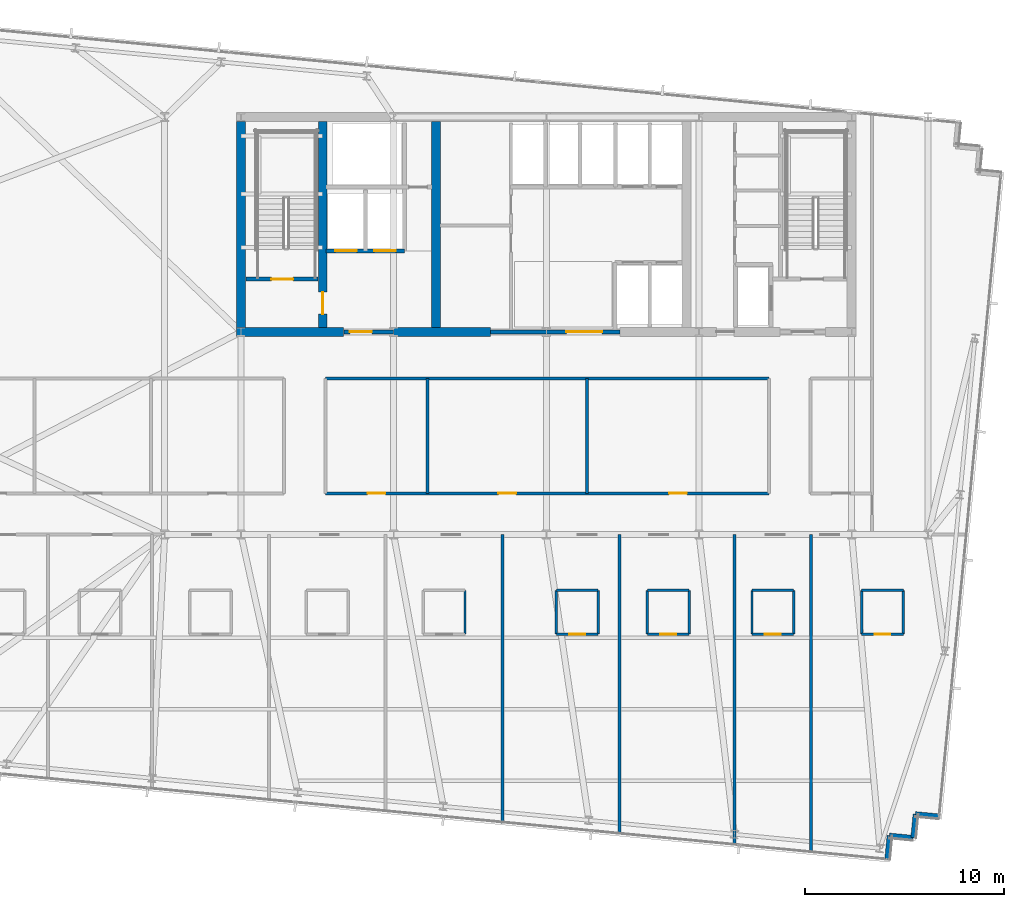
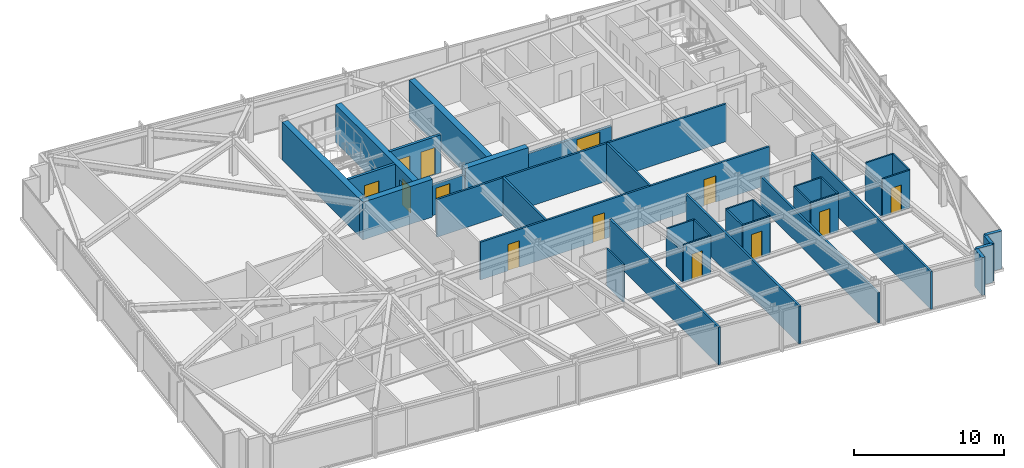
# One storey, part 30 of 38: 38 walls, 13 doors, 13 openings.
"""IFC4 building model written with IfcOpenShell, lengths in metres."""

from ifc_helpers import new_model, si_unit, direction, frame, frame_2d, origin, place, context, subcontext, project, spatial, rectangle, extrude, material, layer, layer_set, type_object, element, fill, save


model = new_model("IFC4")

# Units and contexts
model_context = context("Model", 3, precision=1e-05, world=origin(), true_north=direction((0.0, 1.0)))
body_context = subcontext(model_context, "Body", "Model", "MODEL_VIEW")
ifc_project = project(units=[si_unit("LENGTHUNIT", "METRE"), si_unit("AREAUNIT", "SQUARE_METRE"), si_unit("VOLUMEUNIT", "CUBIC_METRE"), si_unit("PLANEANGLEUNIT", "RADIAN"), si_unit("MASSUNIT", "GRAM", prefix="KILO")], contexts=[model_context])

# Site, building, storey
site_placement = place(None, origin())
site = spatial("IfcSite", under=ifc_project, at=site_placement, CompositionType="ELEMENT")
building_placement = place(site_placement, origin())
building = spatial("IfcBuilding", under=site, at=building_placement, Name="Yelkora Congress Tower", CompositionType="ELEMENT")
storey_placement = place(building_placement, frame((0.0, 0.0, 155.60009765625)))
storey = spatial("IfcBuildingStorey", under=building, at=storey_placement, Name="L42", CompositionType="ELEMENT", Elevation=155.60009765625)

# Walls
ifc_material_1 = material(Name="Concrete C60/75", Category="concrete")
ifc_layer_1 = layer(ifc_material_1, 0.449951171875)
ifc_layer_set_1 = layer_set([ifc_layer_1], Name="Concrete C60/75")
wall_type_1 = type_object("IfcWallType", Name="WALL-CORE-INT-450", PredefinedType="SHEAR", material=ifc_layer_set_1)
wall_1_placement = place(storey_placement, frame((22.81494140625, 35.39990234375, 0.0), z_axis=(0.0, 0.0, 1.0), x_axis=(1.0, 0.0, 0.0)))
element("IfcWall", 1, at=wall_1_placement, inside=storey, type_object=wall_type_1, Name="L42 Rear Core South-West Shear Wall", PredefinedType="SHEAR", context=body_context, shape_type="SweptSolid", body=[
    extrude(rectangle(XDim=5.385009765625, YDim=0.449951171875, at=frame_2d((2.6923828125, 0.0))), origin(), (0.0, 0.0, 1.0), 3.079833984375),
])
wall_2_placement = place(storey_placement, frame((30.719970703125, 35.39990234375, 0.0), z_axis=(0.0, 0.0, 1.0), x_axis=(1.0, 0.0, 0.0)))
element("IfcWall", 2, at=wall_2_placement, inside=storey, type_object=wall_type_1, Name="L42 Rear Core South-Center Shear Pier", PredefinedType="SHEAR", context=body_context, shape_type="SweptSolid", body=[
    extrude(rectangle(XDim=4.880126953125, YDim=0.449951171875, at=frame_2d((2.43994140625, 0.0))), origin(), (0.0, 0.0, 1.0), 3.079833984375),
])
wall_3_placement = place(storey_placement, frame((23.0400390625, 35.625, 0.0), z_axis=(0.0, 0.0, 1.0), x_axis=(0.0, 1.0, 0.0)))
element("IfcWall", 3, at=wall_3_placement, inside=storey, type_object=wall_type_1, Name="L42 Rear Core Cross Shear Wall W", PredefinedType="SHEAR", context=body_context, shape_type="SweptSolid", body=[
    extrude(rectangle(XDim=10.35009765625, YDim=0.449951171875, at=frame_2d((5.175048828125, 0.0))), origin(), (0.0, 0.0, 1.0), 3.079833984375),
])

# Wall, opening, door
wall_4_placement = place(storey_placement, frame((27.14990234375, 35.625, 0.0), z_axis=(0.0, 0.0, 1.0), x_axis=(0.0, 1.0, 0.0)))
wall_4 = element("IfcWall", 4, at=wall_4_placement, inside=storey, type_object=wall_type_1, Name="L42 Rear Core Cross Shear Wall C1", PredefinedType="SHEAR", context=body_context, shape_type="SweptSolid", body=[
    extrude(rectangle(XDim=10.35009765625, YDim=0.449951171875, at=frame_2d((5.175048828125, 0.0))), origin(), (0.0, 0.0, 1.0), 3.079833984375),
])
opening_1_placement = place(wall_4_placement, frame((0.675048828125, 0.0, 0.0)))
opening_1 = element("IfcOpeningElement", 5, at=opening_1_placement, cuts=wall_4, Name="Opening DR-110F9", PredefinedType="OPENING", context=body_context, shape_type="SweptSolid", body=[
    extrude(rectangle(XDim=1.10009765625, YDim=2.14990234375, at=frame_2d((0.550048828125, 1.074951171875))), frame((0.0, 0.23486328125, 0.0), z_axis=(0.0, -1.0, 0.0), x_axis=(1.0, 0.0, 0.0)), (0.0, 0.0, 1.0), 0.469970703125),
])
ifc_material_2 = material(Name="Galvanised steel fire door leaf", Category="steel")
door_type_1 = type_object("IfcDoorType", Name="DOOR-FD90-1100", OperationType="NOTDEFINED", PredefinedType="DOOR", material=ifc_material_2)
door_1_placement = place(opening_1_placement, origin())
door_1 = element("IfcDoor", 6, at=door_1_placement, inside=storey, type_object=door_type_1, Name="L42 Firefighting Stair Transfer Door", OperationType="SINGLE_SWING_LEFT", OverallHeight=2.14990234375, OverallWidth=1.10009765625, PredefinedType="DOOR", context=body_context, shape_type="SweptSolid", body=[
    extrude(rectangle(XDim=1.10009765625, YDim=2.14990234375, at=frame_2d((0.550048828125, 1.074951171875))), frame((0.0, 0.02490234375, 0.0), z_axis=(0.0, -1.0, 0.0), x_axis=(1.0, 0.0, 0.0)), (0.0, 0.0, 1.0), 0.050048828125),
])
fill(opening_1, door_1)

# Walls
wall_5_placement = place(storey_placement, frame((32.85009765625, 35.625, 0.0), z_axis=(0.0, 0.0, 1.0), x_axis=(0.0, 1.0, 0.0)))
element("IfcWall", 7, at=wall_5_placement, inside=storey, type_object=wall_type_1, Name="L42 Rear Core Cross Shear Wall C2", PredefinedType="SHEAR", context=body_context, shape_type="SweptSolid", body=[
    extrude(rectangle(XDim=10.35009765625, YDim=0.449951171875, at=frame_2d((5.175048828125, 0.0))), origin(), (0.0, 0.0, 1.0), 3.079833984375),
])
ifc_material_3 = material(Name="Concrete C40/50", Category="concrete")
ifc_layer_2 = layer(ifc_material_3, 0.239990234375)
ifc_layer_set_2 = layer_set([ifc_layer_2], Name="Concrete C40/50")
wall_type_2 = type_object("IfcWallType", Name="WALL-EXT-LIMESTONE-240", PredefinedType="SOLIDWALL", material=ifc_layer_set_2)
wall_6_placement = place(storey_placement, frame((58.160400390625, 11.033203125, 0.0), z_axis=(0.0, 0.0, 1.0), x_axis=(-0.995398960025, 0.095817067274, 0.0)))
element("IfcWall", 8, at=wall_6_placement, inside=storey, type_object=wall_type_2, Name="L42 Serrated Corner Limestone Pier 16", PredefinedType="SOLIDWALL", context=body_context, shape_type="SweptSolid", body=[
    extrude(rectangle(XDim=1.2001953125, YDim=0.239990234375, at=frame_2d((0.60009765625, 0.0))), origin(), (0.0, 0.0, 1.0), 3.079833984375),
])
for number, where, z_axis, x_axis, name in (
    (9, (56.9658203125, 11.148193359375, 0.0), (0.0, 0.0, 1.0), (-0.095836473879, -0.995397091755, 0.0), "L42 Serrated Corner Limestone Pier 17"),
    (10, (56.850830078125, 9.953857421875, 0.0), (0.0, 0.0, 1.0), (-0.995397091755, 0.095836473879, 0.0), "L42 Serrated Corner Limestone Pier 18"),
):
    element("IfcWall", number, at=place(storey_placement, frame(where, z_axis=z_axis, x_axis=x_axis)), inside=storey, type_object=wall_type_2, Name=name, PredefinedType="SOLIDWALL", context=body_context, shape_type="SweptSolid", body=[
        extrude(rectangle(XDim=1.199951171875, YDim=0.239990234375, at=frame_2d((0.60009765625, 0.0))), origin(), (0.0, 0.0, 1.0), 3.079833984375),
    ])
wall_7_placement = place(storey_placement, frame((55.656494140625, 10.06884765625, 0.0), z_axis=(0.0, 0.0, 1.0), x_axis=(-0.095817067274, -0.995398960025, 0.0)))
element("IfcWall", 11, at=wall_7_placement, inside=storey, type_object=wall_type_2, Name="L42 Serrated Corner Limestone Pier 19", PredefinedType="SOLIDWALL", context=body_context, shape_type="SweptSolid", body=[
    extrude(rectangle(XDim=1.2001953125, YDim=0.239990234375, at=frame_2d((0.60009765625, 0.0))), origin(), (0.0, 0.0, 1.0), 3.079833984375),
])
ifc_material_4 = material(Name="Moisture-resistant gypsum partition", Category="gypsum")
ifc_layer_3 = layer(ifc_material_4, 0.1201171875)
ifc_layer_set_3 = layer_set([ifc_layer_3], Name="Moisture-resistant gypsum partition")
wall_type_3 = type_object("IfcWallType", Name="WALL-INT-120-NR", PredefinedType="PARTITIONING", material=ifc_layer_set_3)
wall_8_placement = place(storey_placement, frame((34.30810546875, 20.199951171875, 0.0), z_axis=(0.0, 0.0, 1.0), x_axis=(0.0, 1.0, 0.0)))
element("IfcWall", 12, at=wall_8_placement, inside=storey, type_object=wall_type_3, Name="L42 Partition Wall 49", PredefinedType="PARTITIONING", context=body_context, shape_type="SweptSolid", body=[
    extrude(rectangle(XDim=2.199951171875, YDim=0.1201171875, at=frame_2d((1.10009765625, 0.0))), origin(), (0.0, 0.0, 1.0), 3.079833984375),
])
wall_9_placement = place(storey_placement, frame((38.89990234375, 22.39990234375, 0.0), z_axis=(0.0, 0.0, 1.0), x_axis=(1.0, 0.0, 0.0)))
element("IfcWall", 13, at=wall_9_placement, inside=storey, type_object=wall_type_3, Name="L42 Partition Wall 52", PredefinedType="PARTITIONING", context=body_context, shape_type="SweptSolid", body=[
    extrude(rectangle(XDim=2.10009765625, YDim=0.1201171875, at=frame_2d((1.050048828125, 0.0))), origin(), (0.0, 0.0, 1.0), 3.079833984375),
])
wall_10_placement = place(storey_placement, frame((38.89990234375, 20.199951171875, 0.0), z_axis=(0.0, 0.0, 1.0), x_axis=(0.0, 1.0, 0.0)))
element("IfcWall", 14, at=wall_10_placement, inside=storey, type_object=wall_type_3, Name="L42 Partition Wall 53", PredefinedType="PARTITIONING", context=body_context, shape_type="SweptSolid", body=[
    extrude(rectangle(XDim=2.199951171875, YDim=0.1201171875, at=frame_2d((1.10009765625, 0.0))), origin(), (0.0, 0.0, 1.0), 2.474853515625),
])
wall_11_placement = place(storey_placement, frame((41.0, 20.199951171875, 0.0), z_axis=(0.0, 0.0, 1.0), x_axis=(0.0, 1.0, 0.0)))
element("IfcWall", 15, at=wall_11_placement, inside=storey, type_object=wall_type_3, Name="L42 Partition Wall 54", PredefinedType="PARTITIONING", context=body_context, shape_type="SweptSolid", body=[
    extrude(rectangle(XDim=2.199951171875, YDim=0.1201171875, at=frame_2d((1.10009765625, 0.0))), origin(), (0.0, 0.0, 1.0), 3.079833984375),
])

# Wall, opening, door
wall_12_placement = place(storey_placement, frame((38.89990234375, 20.199951171875, 0.0), z_axis=(0.0, 0.0, 1.0), x_axis=(1.0, 0.0, 0.0)))
wall_12 = element("IfcWall", 16, at=wall_12_placement, inside=storey, type_object=wall_type_3, Name="L42 Partition Wall 55", PredefinedType="PARTITIONING", context=body_context, shape_type="SweptSolid", body=[
    extrude(rectangle(XDim=2.10009765625, YDim=0.1201171875, at=frame_2d((1.050048828125, 0.0))), origin(), (0.0, 0.0, 1.0), 3.079833984375),
])
opening_2_placement = place(wall_12_placement, frame((0.64990234375, 0.0, 0.0)))
opening_2 = element("IfcOpeningElement", 17, at=opening_2_placement, cuts=wall_12, Name="Opening DR-080B", PredefinedType="OPENING", context=body_context, shape_type="SweptSolid", body=[
    extrude(rectangle(XDim=0.800048828125, YDim=2.10009765625, at=frame_2d((0.39990234375, 1.050048828125))), frame((0.0, 0.070068359375, 0.0), z_axis=(0.0, -1.0, 0.0), x_axis=(1.0, 0.0, 0.0)), (0.0, 0.0, 1.0), 0.14013671875),
])
ifc_material_5 = material(Name="Moisture-sealed en-suite timber door", Category="wood")
door_type_2 = type_object("IfcDoorType", Name="DOOR-BATH-800", OperationType="NOTDEFINED", PredefinedType="DOOR", material=ifc_material_5)
door_2_placement = place(opening_2_placement, origin())
door_2 = element("IfcDoor", 18, at=door_2_placement, inside=storey, type_object=door_type_2, Name="L42 En-suite Door 6", OperationType="SINGLE_SWING_LEFT", OverallHeight=2.10009765625, OverallWidth=0.800048828125, PredefinedType="DOOR", context=body_context, shape_type="SweptSolid", body=[
    extrude(rectangle(XDim=0.800048828125, YDim=2.10009765625, at=frame_2d((0.39990234375, 1.050048828125))), frame((0.0, 0.02490234375, 0.0), z_axis=(0.0, -1.0, 0.0), x_axis=(1.0, 0.0, 0.0)), (0.0, 0.0, 1.0), 0.050048828125),
])
fill(opening_2, door_2)

# Walls
wall_13_placement = place(storey_placement, frame((43.47998046875, 22.39990234375, 0.0), z_axis=(0.0, 0.0, 1.0), x_axis=(1.0, 0.0, 0.0)))
element("IfcWall", 19, at=wall_13_placement, inside=storey, type_object=wall_type_3, Name="L42 Partition Wall 57", PredefinedType="PARTITIONING", context=body_context, shape_type="SweptSolid", body=[
    extrude(rectangle(XDim=2.10009765625, YDim=0.1201171875, at=frame_2d((1.050048828125, 0.0))), origin(), (0.0, 0.0, 1.0), 3.079833984375),
])
for number, where, z_axis, x_axis, name in (
    (20, (43.47998046875, 20.199951171875, 0.0), (0.0, 0.0, 1.0), (0.0, 1.0, 0.0), "L42 Partition Wall 58"),
    (21, (45.580078125, 20.199951171875, 0.0), (0.0, 0.0, 1.0), (0.0, 1.0, 0.0), "L42 Partition Wall 59"),
):
    element("IfcWall", number, at=place(storey_placement, frame(where, z_axis=z_axis, x_axis=x_axis)), inside=storey, type_object=wall_type_3, Name=name, PredefinedType="PARTITIONING", context=body_context, shape_type="SweptSolid", body=[
        extrude(rectangle(XDim=2.199951171875, YDim=0.1201171875, at=frame_2d((1.10009765625, 0.0))), origin(), (0.0, 0.0, 1.0), 3.079833984375),
    ])

# Wall, opening, door
wall_14_placement = place(storey_placement, frame((43.47998046875, 20.199951171875, 0.0), z_axis=(0.0, 0.0, 1.0), x_axis=(1.0, 0.0, 0.0)))
wall_14 = element("IfcWall", 22, at=wall_14_placement, inside=storey, type_object=wall_type_3, Name="L42 Partition Wall 60", PredefinedType="PARTITIONING", context=body_context, shape_type="SweptSolid", body=[
    extrude(rectangle(XDim=2.10009765625, YDim=0.1201171875, at=frame_2d((1.050048828125, 0.0))), origin(), (0.0, 0.0, 1.0), 3.079833984375),
])
opening_3_placement = place(wall_14_placement, frame((0.64990234375, 0.0, 0.0)))
opening_3 = element("IfcOpeningElement", 23, at=opening_3_placement, cuts=wall_14, Name="Opening DR-080B", PredefinedType="OPENING", context=body_context, shape_type="SweptSolid", body=[
    extrude(rectangle(XDim=0.800048828125, YDim=2.10009765625, at=frame_2d((0.39990234375, 1.050048828125))), frame((0.0, 0.070068359375, 0.0), z_axis=(0.0, -1.0, 0.0), x_axis=(1.0, 0.0, 0.0)), (0.0, 0.0, 1.0), 0.14013671875),
])
door_3_placement = place(opening_3_placement, origin())
door_3 = element("IfcDoor", 24, at=door_3_placement, inside=storey, type_object=door_type_2, Name="L42 En-suite Door 7", OperationType="SINGLE_SWING_RIGHT", OverallHeight=2.10009765625, OverallWidth=0.800048828125, PredefinedType="DOOR", context=body_context, shape_type="SweptSolid", body=[
    extrude(rectangle(XDim=0.800048828125, YDim=2.10009765625, at=frame_2d((0.39990234375, 1.050048828125))), frame((0.0, 0.02490234375, 0.0), z_axis=(0.0, -1.0, 0.0), x_axis=(1.0, 0.0, 0.0)), (0.0, 0.0, 1.0), 0.050048828125),
])
fill(opening_3, door_3)

# Walls
wall_15_placement = place(storey_placement, frame((48.740966796875, 22.39990234375, 0.0), z_axis=(0.0, 0.0, 1.0), x_axis=(1.0, 0.0, 0.0)))
element("IfcWall", 25, at=wall_15_placement, inside=storey, type_object=wall_type_3, Name="L42 Partition Wall 62", PredefinedType="PARTITIONING", context=body_context, shape_type="SweptSolid", body=[
    extrude(rectangle(XDim=2.10009765625, YDim=0.1201171875, at=frame_2d((1.050048828125, 0.0))), origin(), (0.0, 0.0, 1.0), 3.079833984375),
])
for number, where, z_axis, x_axis, name in (
    (26, (48.740966796875, 20.199951171875, 0.0), (0.0, 0.0, 1.0), (0.0, 1.0, 0.0), "L42 Partition Wall 63"),
    (27, (50.841064453125, 20.199951171875, 0.0), (0.0, 0.0, 1.0), (0.0, 1.0, 0.0), "L42 Partition Wall 64"),
):
    element("IfcWall", number, at=place(storey_placement, frame(where, z_axis=z_axis, x_axis=x_axis)), inside=storey, type_object=wall_type_3, Name=name, PredefinedType="PARTITIONING", context=body_context, shape_type="SweptSolid", body=[
        extrude(rectangle(XDim=2.199951171875, YDim=0.1201171875, at=frame_2d((1.10009765625, 0.0))), origin(), (0.0, 0.0, 1.0), 3.079833984375),
    ])

# Wall, opening, door
wall_16_placement = place(storey_placement, frame((48.740966796875, 20.199951171875, 0.0), z_axis=(0.0, 0.0, 1.0), x_axis=(1.0, 0.0, 0.0)))
wall_16 = element("IfcWall", 28, at=wall_16_placement, inside=storey, type_object=wall_type_3, Name="L42 Partition Wall 65", PredefinedType="PARTITIONING", context=body_context, shape_type="SweptSolid", body=[
    extrude(rectangle(XDim=2.10009765625, YDim=0.1201171875, at=frame_2d((1.050048828125, 0.0))), origin(), (0.0, 0.0, 1.0), 3.079833984375),
])
opening_4_placement = place(wall_16_placement, frame((0.64990234375, 0.0, 0.0)))
opening_4 = element("IfcOpeningElement", 29, at=opening_4_placement, cuts=wall_16, Name="Opening DR-080B", PredefinedType="OPENING", context=body_context, shape_type="SweptSolid", body=[
    extrude(rectangle(XDim=0.800048828125, YDim=2.10009765625, at=frame_2d((0.39990234375, 1.050048828125))), frame((0.0, 0.070068359375, 0.0), z_axis=(0.0, -1.0, 0.0), x_axis=(1.0, 0.0, 0.0)), (0.0, 0.0, 1.0), 0.14013671875),
])
door_4_placement = place(opening_4_placement, origin())
door_4 = element("IfcDoor", 30, at=door_4_placement, inside=storey, type_object=door_type_2, Name="L42 En-suite Door 8", OperationType="SINGLE_SWING_LEFT", OverallHeight=2.10009765625, OverallWidth=0.800048828125, PredefinedType="DOOR", context=body_context, shape_type="SweptSolid", body=[
    extrude(rectangle(XDim=0.800048828125, YDim=2.10009765625, at=frame_2d((0.39990234375, 1.050048828125))), frame((0.0, 0.02490234375, 0.0), z_axis=(0.0, -1.0, 0.0), x_axis=(1.0, 0.0, 0.0)), (0.0, 0.0, 1.0), 0.050048828125),
])
fill(opening_4, door_4)

# Walls
wall_17_placement = place(storey_placement, frame((54.260009765625, 22.39990234375, 0.0), z_axis=(0.0, 0.0, 1.0), x_axis=(1.0, 0.0, 0.0)))
element("IfcWall", 31, at=wall_17_placement, inside=storey, type_object=wall_type_3, Name="L42 Partition Wall 67", PredefinedType="PARTITIONING", context=body_context, shape_type="SweptSolid", body=[
    extrude(rectangle(XDim=2.10009765625, YDim=0.1201171875, at=frame_2d((1.050048828125, 0.0))), origin(), (0.0, 0.0, 1.0), 3.079833984375),
])
wall_18_placement = place(storey_placement, frame((54.260009765625, 20.199951171875, 0.0), z_axis=(0.0, 0.0, 1.0), x_axis=(0.0, 1.0, 0.0)))
element("IfcWall", 32, at=wall_18_placement, inside=storey, type_object=wall_type_3, Name="L42 Partition Wall 68", PredefinedType="PARTITIONING", context=body_context, shape_type="SweptSolid", body=[
    extrude(rectangle(XDim=2.199951171875, YDim=0.1201171875, at=frame_2d((1.10009765625, 0.0))), origin(), (0.0, 0.0, 1.0), 2.474853515625),
])
wall_19_placement = place(storey_placement, frame((56.360107421875, 20.199951171875, 0.0), z_axis=(0.0, 0.0, 1.0), x_axis=(0.0, 1.0, 0.0)))
element("IfcWall", 33, at=wall_19_placement, inside=storey, type_object=wall_type_3, Name="L42 Partition Wall 69", PredefinedType="PARTITIONING", context=body_context, shape_type="SweptSolid", body=[
    extrude(rectangle(XDim=2.199951171875, YDim=0.1201171875, at=frame_2d((1.10009765625, 0.0))), origin(), (0.0, 0.0, 1.0), 3.079833984375),
])

# Wall, opening, door
wall_20_placement = place(storey_placement, frame((54.260009765625, 20.199951171875, 0.0), z_axis=(0.0, 0.0, 1.0), x_axis=(1.0, 0.0, 0.0)))
wall_20 = element("IfcWall", 34, at=wall_20_placement, inside=storey, type_object=wall_type_3, Name="L42 Partition Wall 70", PredefinedType="PARTITIONING", context=body_context, shape_type="SweptSolid", body=[
    extrude(rectangle(XDim=2.10009765625, YDim=0.1201171875, at=frame_2d((1.050048828125, 0.0))), origin(), (0.0, 0.0, 1.0), 3.079833984375),
])
opening_5_placement = place(wall_20_placement, frame((0.64990234375, 0.0, 0.0)))
opening_5 = element("IfcOpeningElement", 35, at=opening_5_placement, cuts=wall_20, Name="Opening DR-080B", PredefinedType="OPENING", context=body_context, shape_type="SweptSolid", body=[
    extrude(rectangle(XDim=0.800048828125, YDim=2.10009765625, at=frame_2d((0.39990234375, 1.050048828125))), frame((0.0, 0.070068359375, 0.0), z_axis=(0.0, -1.0, 0.0), x_axis=(1.0, 0.0, 0.0)), (0.0, 0.0, 1.0), 0.14013671875),
])
door_5_placement = place(opening_5_placement, origin())
door_5 = element("IfcDoor", 36, at=door_5_placement, inside=storey, type_object=door_type_2, Name="L42 En-suite Door 9", OperationType="SINGLE_SWING_RIGHT", OverallHeight=2.10009765625, OverallWidth=0.800048828125, PredefinedType="DOOR", context=body_context, shape_type="SweptSolid", body=[
    extrude(rectangle(XDim=0.800048828125, YDim=2.10009765625, at=frame_2d((0.39990234375, 1.050048828125))), frame((0.0, 0.02490234375, 0.0), z_axis=(0.0, -1.0, 0.0), x_axis=(1.0, 0.0, 0.0)), (0.0, 0.0, 1.0), 0.050048828125),
])
fill(opening_5, door_5)

# Walls
ifc_material_6 = material(Name="Acoustic metal-stud gypsum partition", Category="gypsum")
ifc_layer_4 = layer(ifc_material_6, 0.14990234375)
ifc_layer_set_4 = layer_set([ifc_layer_4], Name="Acoustic metal-stud gypsum partition")
wall_type_4 = type_object("IfcWallType", Name="WALL-INT-150-NR", PredefinedType="PARTITIONING", material=ifc_layer_set_4)
wall_21_placement = place(storey_placement, frame((27.280029296875, 33.050048828125, 0.0), z_axis=(0.0, 0.0, 1.0), x_axis=(1.0, 0.0, 0.0)))
element("IfcWall", 37, at=wall_21_placement, inside=storey, type_object=wall_type_4, Name="L42 Partition Wall 80", PredefinedType="PARTITIONING", context=body_context, shape_type="SweptSolid", body=[
    extrude(rectangle(XDim=22.320068359375, YDim=0.14990234375, at=frame_2d((11.16015625, 0.0))), origin(), (0.0, 0.0, 1.0), 3.079833984375),
])
for number, where, z_axis, x_axis, name in (
    (38, (32.4189453125, 27.280029296875, 0.0), (0.0, 0.0, 1.0), (0.0, 1.0, 0.0), "L42 Partition Wall 85"),
    (39, (40.447021484375, 27.280029296875, 0.0), (0.0, 0.0, 1.0), (0.0, 1.0, 0.0), "L42 Partition Wall 86"),
):
    element("IfcWall", number, at=place(storey_placement, frame(where, z_axis=z_axis, x_axis=x_axis)), inside=storey, type_object=wall_type_4, Name=name, PredefinedType="PARTITIONING", context=body_context, shape_type="SweptSolid", body=[
        extrude(rectangle(XDim=5.77001953125, YDim=0.14990234375, at=frame_2d((2.885009765625, 0.0))), origin(), (0.0, 0.0, 1.0), 3.079833984375),
    ])

# Wall, openings, doors
wall_22_placement = place(storey_placement, frame((27.2900390625, 27.280029296875, 0.0), z_axis=(0.0, 0.0, 1.0), x_axis=(1.0, 0.0, 0.0)))
wall_22 = element("IfcWall", 40, at=wall_22_placement, inside=storey, type_object=wall_type_4, Name="L42 Partition Wall 87", PredefinedType="PARTITIONING", context=body_context, shape_type="SweptSolid", body=[
    extrude(rectangle(XDim=22.300048828125, YDim=0.14990234375, at=frame_2d((11.14990234375, 0.0))), origin(), (0.0, 0.0, 1.0), 3.079833984375),
])
opening_6_placement = place(wall_22_placement, frame((2.114501953125, 0.0, 0.0)))
opening_6 = element("IfcOpeningElement", 41, at=opening_6_placement, cuts=wall_22, Name="Opening DR-090N", PredefinedType="OPENING", context=body_context, shape_type="SweptSolid", body=[
    extrude(rectangle(XDim=0.89990234375, YDim=2.14990234375, at=frame_2d((0.449951171875, 1.074951171875))), frame((0.0, 0.0849609375, 0.0), z_axis=(0.0, -1.0, 0.0), x_axis=(1.0, 0.0, 0.0)), (0.0, 0.0, 1.0), 0.169921875),
])
opening_7_placement = place(wall_22_placement, frame((8.693115234375, 0.0, 0.0)))
opening_7 = element("IfcOpeningElement", 42, at=opening_7_placement, cuts=wall_22, Name="Opening DR-090N", PredefinedType="OPENING", context=body_context, shape_type="SweptSolid", body=[
    extrude(rectangle(XDim=0.89990234375, YDim=2.14990234375, at=frame_2d((0.449951171875, 1.074951171875))), frame((0.0, 0.0849609375, 0.0), z_axis=(0.0, -1.0, 0.0), x_axis=(1.0, 0.0, 0.0)), (0.0, 0.0, 1.0), 0.169921875),
])
opening_8_placement = place(wall_22_placement, frame((17.278564453125, 0.0, 0.0)))
opening_8 = element("IfcOpeningElement", 43, at=opening_8_placement, cuts=wall_22, Name="Opening DR-090N", PredefinedType="OPENING", context=body_context, shape_type="SweptSolid", body=[
    extrude(rectangle(XDim=0.89990234375, YDim=2.14990234375, at=frame_2d((0.449951171875, 1.074951171875))), frame((0.0, 0.0849609375, 0.0), z_axis=(0.0, -1.0, 0.0), x_axis=(1.0, 0.0, 0.0)), (0.0, 0.0, 1.0), 0.169921875),
])
ifc_material_7 = material(Name="Moisture-resistant laminate door leaf", Category="wood")
door_type_3 = type_object("IfcDoorType", Name="DOOR-INT-900", OperationType="NOTDEFINED", PredefinedType="DOOR", material=ifc_material_7)
door_6_placement = place(opening_6_placement, origin())
door_6 = element("IfcDoor", 44, at=door_6_placement, inside=storey, type_object=door_type_3, Name="L42 Huddle Seminar Room Door", OperationType="SINGLE_SWING_LEFT", OverallHeight=2.14990234375, OverallWidth=0.89990234375, PredefinedType="DOOR", context=body_context, shape_type="SweptSolid", body=[
    extrude(rectangle(XDim=0.89990234375, YDim=2.14990234375, at=frame_2d((0.449951171875, 1.074951171875))), frame((0.0, 0.02490234375, 0.0), z_axis=(0.0, -1.0, 0.0), x_axis=(1.0, 0.0, 0.0)), (0.0, 0.0, 1.0), 0.050048828125),
])
fill(opening_6, door_6)
door_7_placement = place(opening_7_placement, origin())
door_7 = element("IfcDoor", 45, at=door_7_placement, inside=storey, type_object=door_type_3, Name="L42 Breakout Training Room Door", OperationType="SINGLE_SWING_RIGHT", OverallHeight=2.14990234375, OverallWidth=0.89990234375, PredefinedType="DOOR", context=body_context, shape_type="SweptSolid", body=[
    extrude(rectangle(XDim=0.89990234375, YDim=2.14990234375, at=frame_2d((0.449951171875, 1.074951171875))), frame((0.0, 0.02490234375, 0.0), z_axis=(0.0, -1.0, 0.0), x_axis=(1.0, 0.0, 0.0)), (0.0, 0.0, 1.0), 0.050048828125),
])
fill(opening_7, door_7)
door_8_placement = place(opening_8_placement, origin())
door_8 = element("IfcDoor", 46, at=door_8_placement, inside=storey, type_object=door_type_3, Name="L42 Executive Boardroom Door", OperationType="SINGLE_SWING_LEFT", OverallHeight=2.14990234375, OverallWidth=0.89990234375, PredefinedType="DOOR", context=body_context, shape_type="SweptSolid", body=[
    extrude(rectangle(XDim=0.89990234375, YDim=2.14990234375, at=frame_2d((0.449951171875, 1.074951171875))), frame((0.0, 0.02490234375, 0.0), z_axis=(0.0, -1.0, 0.0), x_axis=(1.0, 0.0, 0.0)), (0.0, 0.0, 1.0), 0.050048828125),
])
fill(opening_8, door_8)

# Walls
ifc_material_8 = material(Name="Twin-stud fire-rated gypsum partition", Category="gypsum")
ifc_layer_5 = layer(ifc_material_8, 0.14990234375)
ifc_layer_set_5 = layer_set([ifc_layer_5], Name="Twin-stud fire-rated gypsum partition")
wall_type_5 = type_object("IfcWallType", Name="WALL-INT-150-R60", PredefinedType="PARTITIONING", material=ifc_layer_set_5)
wall_23_placement = place(storey_placement, frame((36.197998046875, 10.676513671875, 0.0), z_axis=(0.0, 0.0, 1.0), x_axis=(0.0, 1.0, 0.0)))
element("IfcWall", 47, at=wall_23_placement, inside=storey, type_object=wall_type_5, Name="L42 Partition Wall 56", PredefinedType="PARTITIONING", context=body_context, shape_type="SweptSolid", body=[
    extrude(rectangle(XDim=14.54345703125, YDim=0.14990234375, at=frame_2d((7.271728515625, 0.0))), origin(), (0.0, 0.0, 1.0), 3.079833984375),
])
wall_24_placement = place(storey_placement, frame((42.0791015625, 10.1103515625, 0.0), z_axis=(0.0, 0.0, 1.0), x_axis=(0.0, 1.0, 0.0)))
element("IfcWall", 48, at=wall_24_placement, inside=storey, type_object=wall_type_5, Name="L42 Partition Wall 61", PredefinedType="PARTITIONING", context=body_context, shape_type="SweptSolid", body=[
    extrude(rectangle(XDim=15.109619140625, YDim=0.14990234375, at=frame_2d((7.5546875, 0.0))), origin(), (0.0, 0.0, 1.0), 3.079833984375),
])
wall_25_placement = place(storey_placement, frame((47.85888671875, 9.5537109375, 0.0), z_axis=(0.0, 0.0, 1.0), x_axis=(0.0, 1.0, 0.0)))
element("IfcWall", 49, at=wall_25_placement, inside=storey, type_object=wall_type_5, Name="L42 Partition Wall 66", PredefinedType="PARTITIONING", context=body_context, shape_type="SweptSolid", body=[
    extrude(rectangle(XDim=15.666259765625, YDim=0.14990234375, at=frame_2d((7.8330078125, 0.0))), origin(), (0.0, 0.0, 1.0), 2.474853515625),
])
wall_26_placement = place(storey_placement, frame((51.721923828125, 9.181884765625, 0.0), z_axis=(0.0, 0.0, 1.0), x_axis=(0.0, 1.0, 0.0)))
element("IfcWall", 50, at=wall_26_placement, inside=storey, type_object=wall_type_5, Name="L42 Partition Wall 71", PredefinedType="PARTITIONING", context=body_context, shape_type="SweptSolid", body=[
    extrude(rectangle(XDim=16.0380859375, YDim=0.14990234375, at=frame_2d((8.01904296875, 0.0))), origin(), (0.0, 0.0, 1.0), 3.079833984375),
])

# Wall, opening, door
ifc_material_9 = material(Name="Autoclaved aerated concrete blockwork", Category="masonry")
ifc_layer_6 = layer(ifc_material_9, 0.199951171875)
ifc_layer_set_6 = layer_set([ifc_layer_6], Name="Autoclaved aerated concrete blockwork")
wall_type_6 = type_object("IfcWallType", Name="WALL-INT-200-R120", PredefinedType="PARTITIONING", material=ifc_layer_set_6)
wall_27_placement = place(storey_placement, frame((23.300048828125, 38.050048828125, 0.0), z_axis=(0.0, 0.0, 1.0), x_axis=(1.0, 0.0, 0.0)))
wall_27 = element("IfcWall", 51, at=wall_27_placement, inside=storey, type_object=wall_type_6, Name="L42 Stair ST-01 Enclosure Wall", PredefinedType="PARTITIONING", context=body_context, shape_type="SweptSolid", body=[
    extrude(rectangle(XDim=3.619873046875, YDim=0.199951171875, at=frame_2d((1.81005859375, 0.0))), origin(), (0.0, 0.0, 1.0), 3.079833984375),
])
opening_9_placement = place(wall_27_placement, frame((1.260009765625, 0.0, 0.0)))
opening_9 = element("IfcOpeningElement", 52, at=opening_9_placement, cuts=wall_27, Name="Opening DR-110F9", PredefinedType="OPENING", context=body_context, shape_type="SweptSolid", body=[
    extrude(rectangle(XDim=1.10009765625, YDim=2.14990234375, at=frame_2d((0.550048828125, 1.074951171875))), frame((0.0, 0.10986328125, 0.0), z_axis=(0.0, -1.0, 0.0), x_axis=(1.0, 0.0, 0.0)), (0.0, 0.0, 1.0), 0.219970703125),
])
door_9_placement = place(opening_9_placement, origin())
door_9 = element("IfcDoor", 53, at=door_9_placement, inside=storey, type_object=door_type_1, Name="L42 Stair ST-01 Entry Door", OperationType="SINGLE_SWING_LEFT", OverallHeight=2.14990234375, OverallWidth=1.10009765625, PredefinedType="DOOR", context=body_context, shape_type="SweptSolid", body=[
    extrude(rectangle(XDim=1.10009765625, YDim=2.14990234375, at=frame_2d((0.550048828125, 1.074951171875))), frame((0.0, 0.02490234375, 0.0), z_axis=(0.0, -1.0, 0.0), x_axis=(1.0, 0.0, 0.0)), (0.0, 0.0, 1.0), 0.050048828125),
])
fill(opening_9, door_9)

wall_28_placement = place(storey_placement, frame((28.219970703125, 35.39990234375, 0.0), z_axis=(0.0, 0.0, 1.0), x_axis=(1.0, 0.0, 0.0)))
wall_28 = element("IfcWall", 54, at=wall_28_placement, inside=storey, type_object=wall_type_6, Name="L42 Firefighting Lobby South Wall", PredefinedType="PARTITIONING", context=body_context, shape_type="SweptSolid", body=[
    extrude(rectangle(XDim=2.5, YDim=0.199951171875, at=frame_2d((1.25, 0.0))), origin(), (0.0, 0.0, 1.0), 2.474853515625),
])
opening_10_placement = place(wall_28_placement, frame((0.300048828125, 0.0, 0.0)))
opening_10 = element("IfcOpeningElement", 55, at=opening_10_placement, cuts=wall_28, Name="Opening DR-110F9", PredefinedType="OPENING", context=body_context, shape_type="SweptSolid", body=[
    extrude(rectangle(XDim=1.10009765625, YDim=2.14990234375, at=frame_2d((0.550048828125, 1.074951171875))), frame((0.0, 0.10986328125, 0.0), z_axis=(0.0, -1.0, 0.0), x_axis=(1.0, 0.0, 0.0)), (0.0, 0.0, 1.0), 0.219970703125),
])
door_10_placement = place(opening_10_placement, origin())
door_10 = element("IfcDoor", 56, at=door_10_placement, inside=storey, type_object=door_type_1, Name="L42 Firefighting Lobby Corridor Door", OperationType="SINGLE_SWING_RIGHT", OverallHeight=2.14990234375, OverallWidth=1.10009765625, PredefinedType="DOOR", context=body_context, shape_type="SweptSolid", body=[
    extrude(rectangle(XDim=1.10009765625, YDim=2.14990234375, at=frame_2d((0.550048828125, 1.074951171875))), frame((0.0, 0.02490234375, 0.0), z_axis=(0.0, -1.0, 0.0), x_axis=(1.0, 0.0, 0.0)), (0.0, 0.0, 1.0), 0.050048828125),
])
fill(opening_10, door_10)

# Wall, openings, doors
wall_29_placement = place(storey_placement, frame((27.320068359375, 39.47998046875, 0.0), z_axis=(0.0, 0.0, 1.0), x_axis=(1.0, 0.0, 0.0)))
wall_29 = element("IfcWall", 57, at=wall_29_placement, inside=storey, type_object=wall_type_6, Name="L42 Firefighting Lift Front Wall", PredefinedType="PARTITIONING", context=body_context, shape_type="SweptSolid", body=[
    extrude(rectangle(XDim=3.93994140625, YDim=0.199951171875, at=frame_2d((1.969970703125, 0.0))), origin(), (0.0, 0.0, 1.0), 3.079833984375),
])
opening_11_placement = place(wall_29_placement, frame((0.449951171875, 0.0, 0.0)))
opening_11 = element("IfcOpeningElement", 58, at=opening_11_placement, cuts=wall_29, Name="Opening LD-FF11", PredefinedType="OPENING", context=body_context, shape_type="SweptSolid", body=[
    extrude(rectangle(XDim=1.10009765625, YDim=2.199951171875, at=frame_2d((0.550048828125, 1.10009765625))), frame((0.0, 0.10986328125, 0.0), z_axis=(0.0, -1.0, 0.0), x_axis=(1.0, 0.0, 0.0)), (0.0, 0.0, 1.0), 0.219970703125),
])
opening_12_placement = place(wall_29_placement, frame((2.409912109375, 0.0, 0.0)))
opening_12 = element("IfcOpeningElement", 59, at=opening_12_placement, cuts=wall_29, Name="Opening LD-FF11", PredefinedType="OPENING", context=body_context, shape_type="SweptSolid", body=[
    extrude(rectangle(XDim=1.10009765625, YDim=2.199951171875, at=frame_2d((0.550048828125, 1.10009765625))), frame((0.0, 0.10986328125, 0.0), z_axis=(0.0, -1.0, 0.0), x_axis=(1.0, 0.0, 0.0)), (0.0, 0.0, 1.0), 0.219970703125),
])
ifc_material_10 = material(Name="Brushed stainless steel 316L landing door", Category="steel")
door_type_4 = type_object("IfcDoorType", Name="DOOR-LIFT-FF-1100", OperationType="DOUBLE_DOOR_SLIDING", PredefinedType="DOOR", material=ifc_material_10)
door_11_placement = place(opening_11_placement, origin())
door_11 = element("IfcDoor", 60, at=door_11_placement, inside=storey, type_object=door_type_4, Name="Lift Landing Door LF-FF1 L42", OperationType="DOUBLE_DOOR_SLIDING", OverallHeight=2.199951171875, OverallWidth=1.10009765625, PredefinedType="DOOR", context=body_context, shape_type="SweptSolid", body=[
    extrude(rectangle(XDim=1.10009765625, YDim=2.199951171875, at=frame_2d((0.550048828125, 1.10009765625))), frame((0.0, 0.02490234375, 0.0), z_axis=(0.0, -1.0, 0.0), x_axis=(1.0, 0.0, 0.0)), (0.0, 0.0, 1.0), 0.050048828125),
])
fill(opening_11, door_11)
door_12_placement = place(opening_12_placement, origin())
door_12 = element("IfcDoor", 61, at=door_12_placement, inside=storey, type_object=door_type_4, Name="Lift Landing Door LF-FF2 L42", OperationType="DOUBLE_DOOR_SLIDING", OverallHeight=2.199951171875, OverallWidth=1.10009765625, PredefinedType="DOOR", context=body_context, shape_type="SweptSolid", body=[
    extrude(rectangle(XDim=1.10009765625, YDim=2.199951171875, at=frame_2d((0.550048828125, 1.10009765625))), frame((0.0, 0.02490234375, 0.0), z_axis=(0.0, -1.0, 0.0), x_axis=(1.0, 0.0, 0.0)), (0.0, 0.0, 1.0), 0.050048828125),
])
fill(opening_12, door_12)

# Wall, opening, door
wall_30_placement = place(storey_placement, frame((35.60009765625, 35.39990234375, 0.0), z_axis=(0.0, 0.0, 1.0), x_axis=(1.0, 0.0, 0.0)))
wall_30 = element("IfcWall", 62, at=wall_30_placement, inside=storey, type_object=wall_type_6, Name="L42 Main Lift Lobby South Portal Wall", PredefinedType="PARTITIONING", context=body_context, shape_type="SweptSolid", body=[
    extrude(rectangle(XDim=6.5, YDim=0.199951171875, at=frame_2d((3.25, 0.0))), origin(), (0.0, 0.0, 1.0), 2.474853515625),
])
opening_13_placement = place(wall_30_placement, frame((3.800048828125, 0.0, 0.0)))
opening_13 = element("IfcOpeningElement", 63, at=opening_13_placement, cuts=wall_30, Name="Opening DR-180D", PredefinedType="OPENING", context=body_context, shape_type="SweptSolid", body=[
    extrude(rectangle(XDim=1.800048828125, YDim=2.300048828125, at=frame_2d((0.89990234375, 1.14990234375))), frame((0.0, 0.10986328125, 0.0), z_axis=(0.0, -1.0, 0.0), x_axis=(1.0, 0.0, 0.0)), (0.0, 0.0, 1.0), 0.219970703125),
])
ifc_material_11 = material(Name="Acoustic double congress hall doors", Category="wood")
door_type_5 = type_object("IfcDoorType", Name="DOOR-DBL-1800", OperationType="DOUBLE_DOOR_SINGLE_SWING", PredefinedType="DOOR", material=ifc_material_11)
door_13_placement = place(opening_13_placement, origin())
door_13 = element("IfcDoor", 64, at=door_13_placement, inside=storey, type_object=door_type_5, Name="L42 Main Lift Lobby Portal Door", OperationType="DOUBLE_DOOR_SINGLE_SWING", OverallHeight=2.300048828125, OverallWidth=1.800048828125, PredefinedType="DOOR", context=body_context, shape_type="SweptSolid", body=[
    extrude(rectangle(XDim=1.800048828125, YDim=2.300048828125, at=frame_2d((0.89990234375, 1.14990234375))), frame((0.0, 0.02490234375, 0.0), z_axis=(0.0, -1.0, 0.0), x_axis=(1.0, 0.0, 0.0)), (0.0, 0.0, 1.0), 0.050048828125),
])
fill(opening_13, door_13)

save(model, "model.ifc")
